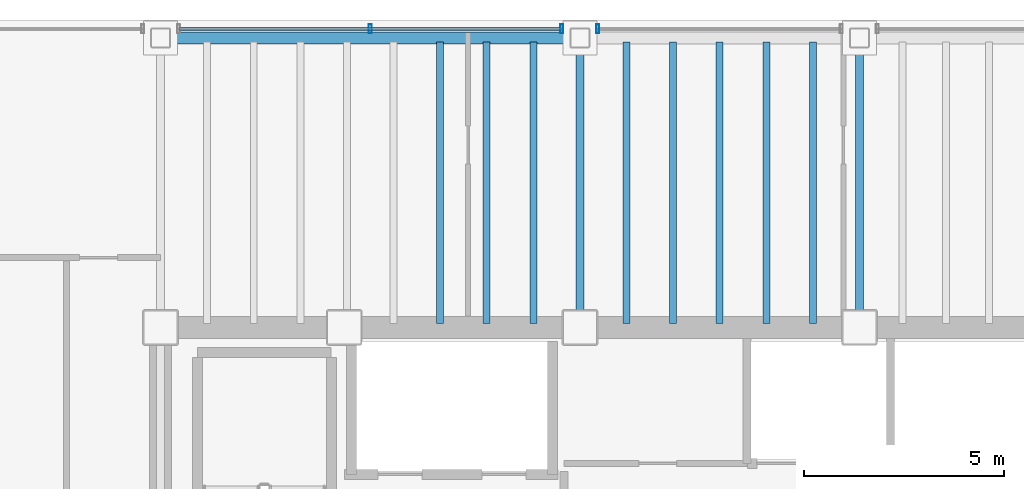
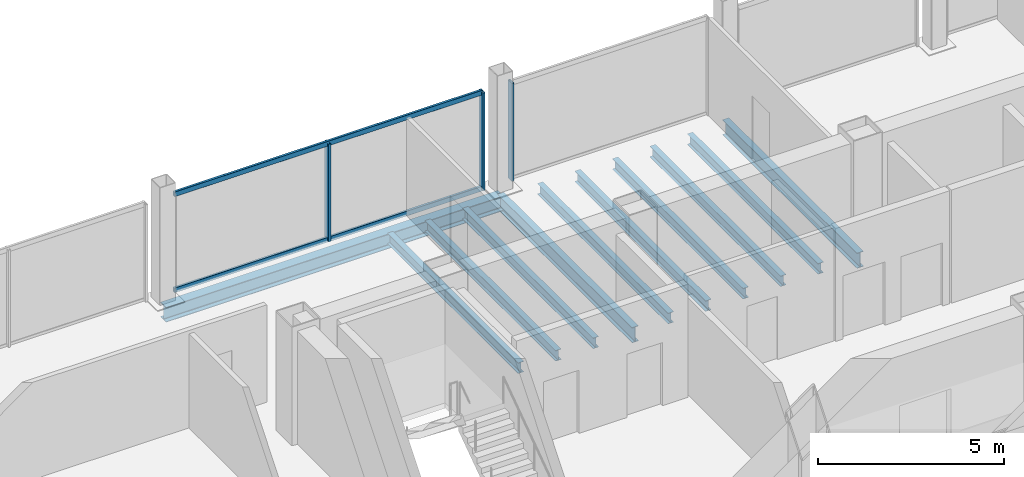
# One storey, part 9 of 18: 11 beams, 5 members, 2 elements without a shape of their own.
"""IFC4 building model written with IfcOpenShell, lengths in metres."""

from ifc_helpers import new_model, si_unit, direction, frame, origin, origin_2d, place, context, subcontext, project, spatial, hollow_rectangle, i_section, extrude, material, material_profile, profile_set, type_object, element, aggregate, save


model = new_model("IFC4")

# Units and contexts
model_context = context("Model", 3, precision=1e-05, world=origin(), true_north=direction((0.0, 1.0)))
body_context = subcontext(model_context, "Body", "Model", "MODEL_VIEW")
ifc_project = project(units=[si_unit("LENGTHUNIT", "METRE"), si_unit("AREAUNIT", "SQUARE_METRE"), si_unit("VOLUMEUNIT", "CUBIC_METRE"), si_unit("PLANEANGLEUNIT", "RADIAN"), si_unit("MASSUNIT", "GRAM", prefix="KILO")], contexts=[model_context])

# Site, building, storey
site_placement = place(None, origin())
site = spatial("IfcSite", under=ifc_project, at=site_placement, CompositionType="ELEMENT")
building_placement = place(site_placement, origin())
building = spatial("IfcBuilding", under=site, at=building_placement, Name="Noeulbin Bourse Tower", CompositionType="ELEMENT")
storey_placement = place(building_placement, frame((0.0, 0.0, 161.699951171875)))
storey = spatial("IfcBuildingStorey", under=building, at=storey_placement, Name="L40", CompositionType="ELEMENT", Elevation=161.699951171875)

# Beams
ifc_material_1 = material(Name="Steel S355", Category="steel")
ifc_material_profile_1 = material_profile(ifc_material_1, i_section(OverallWidth=0.199951171875, OverallDepth=0.5, WebThickness=0.010009765625, FlangeThickness=0.01611328125, FilletRadius=0.02001953125, at=origin_2d()), Name="H-500x200x10x16", Category="LoadBearing")
ifc_profile_set_1 = profile_set([ifc_material_profile_1], Name="Steel S355")
beam_type_1 = type_object("IfcBeamType", Name="BM-GRD-500", PredefinedType="USERDEFINED", material=ifc_profile_set_1)
for number, where, z_axis, x_axis, name in (
    (1, (24.0, 38.300048828125, -0.429931640625), (0.0, 1.0, 0.0), (-1.0, 0.0, 0.0), "Tower Primary Girder NS L40-2.4"),
    (2, (31.0, 38.300048828125, -0.429931640625), (0.0, 1.0, 0.0), (-1.0, 0.0, 0.0), "Tower Primary Girder NS L40-3.4"),
):
    element("IfcBeam", number, at=place(storey_placement, frame(where, z_axis=z_axis, x_axis=x_axis)), inside=storey, type_object=beam_type_1, Name=name, ObjectType="GIRDER", PredefinedType="USERDEFINED", context=body_context, shape_type="SweptSolid", body=[
        extrude(i_section(OverallWidth=0.199951171875, OverallDepth=0.5, WebThickness=0.010009765625, FlangeThickness=0.01611328125, FilletRadius=0.02001953125, at=origin_2d()), origin(), (0.0, 0.0, 1.0), 7.25),
    ])
ifc_material_profile_2 = material_profile(ifc_material_1, i_section(OverallWidth=0.175048828125, OverallDepth=0.35009765625, WebThickness=0.007080078125, FlangeThickness=0.010986328125, FilletRadius=0.013916015625, at=origin_2d()), Name="H-350x175x7x11", Category="LoadBearing")
ifc_profile_set_2 = profile_set([ifc_material_profile_2], Name="Steel S355")
beam_type_2 = type_object("IfcBeamType", Name="BM-JST-350", PredefinedType="JOIST", material=ifc_profile_set_2)
for number, where, z_axis, x_axis, name in (
    (3, (20.5, 38.39990234375, -0.35498046875), (0.0, 1.0, 0.0), (-1.0, 0.0, 0.0), "Tower Composite Joist L40-18"),
    (4, (21.666748046875, 38.39990234375, -0.35498046875), (0.0, 1.0, 0.0), (-1.0, 0.0, 0.0), "Tower Composite Joist L40-21"),
    (5, (22.833251953125, 38.39990234375, -0.35498046875), (0.0, 1.0, 0.0), (-1.0, 0.0, 0.0), "Tower Composite Joist L40-24"),
    (6, (25.166748046875, 38.39990234375, -0.35498046875), (0.0, 1.0, 0.0), (-1.0, 0.0, 0.0), "Tower Composite Joist L40-27"),
    (7, (26.333251953125, 38.39990234375, -0.35498046875), (0.0, 1.0, 0.0), (-1.0, 0.0, 0.0), "Tower Composite Joist L40-30"),
    (8, (27.5, 38.39990234375, -0.35498046875), (0.0, 1.0, 0.0), (-1.0, 0.0, 0.0), "Tower Composite Joist L40-33"),
    (9, (28.666748046875, 38.39990234375, -0.35498046875), (0.0, 1.0, 0.0), (-1.0, 0.0, 0.0), "Tower Composite Joist L40-36"),
    (10, (29.833251953125, 38.39990234375, -0.35498046875), (0.0, 1.0, 0.0), (-1.0, 0.0, 0.0), "Tower Composite Joist L40-39"),
):
    element("IfcBeam", number, at=place(storey_placement, frame(where, z_axis=z_axis, x_axis=x_axis)), inside=storey, type_object=beam_type_2, Name=name, PredefinedType="JOIST", context=body_context, shape_type="SweptSolid", body=[
        extrude(i_section(OverallWidth=0.175048828125, OverallDepth=0.35009765625, WebThickness=0.007080078125, FlangeThickness=0.010986328125, FilletRadius=0.013916015625, at=origin_2d()), origin(), (0.0, 0.0, 1.0), 7.050048828125),
    ])
ifc_material_profile_3 = material_profile(ifc_material_1, i_section(OverallWidth=0.300048828125, OverallDepth=0.488037109375, WebThickness=0.010986328125, FlangeThickness=0.01806640625, FilletRadius=0.02197265625, at=origin_2d()), Name="H-488x300x11x18", Category="LoadBearing")
ifc_profile_set_3 = profile_set([ifc_material_profile_3], Name="Steel S355")
beam_type_3 = type_object("IfcBeamType", Name="BM-SPN-488", PredefinedType="SPANDREL", material=ifc_profile_set_3)
beam_placement = place(storey_placement, frame((13.5, 45.550048828125, -0.424072265625), z_axis=(1.0, 0.0, 0.0), x_axis=(0.0, 1.0, 0.0)))
element("IfcBeam", 11, at=beam_placement, inside=storey, type_object=beam_type_3, Name="North Spandrel L40-1", PredefinedType="SPANDREL", context=body_context, shape_type="SweptSolid", body=[
    extrude(i_section(OverallWidth=0.300048828125, OverallDepth=0.488037109375, WebThickness=0.010986328125, FlangeThickness=0.01806640625, FilletRadius=0.02197265625, at=origin_2d()), origin(), (0.0, 0.0, 1.0), 10.5),
])

# Curtain wall, members
ifc_material_2 = material(Name="Dark Tinted Triple Glazing", Category="glass")
curtain_wall_type = type_object("IfcCurtainWallType", Name="CW-SYS-3", PredefinedType="NOTDEFINED", material=ifc_material_2)
curtain_wall_1_placement = place(storey_placement, origin())
curtain_wall_1 = element("IfcCurtainWall", 12, at=curtain_wall_1_placement, inside=storey, type_object=curtain_wall_type, Name="Unitised Curtain Wall CW-L40-N-S2", PredefinedType="NOTDEFINED")
ifc_material_3 = material(Name="Anodised Aluminium 6063-T6", Category="aluminium")
ifc_material_profile_4 = material_profile(ifc_material_3, hollow_rectangle(XDim=0.074951171875, YDim=0.219970703125, WallThickness=0.0048828125, InnerFilletRadius=0.00244140625, OuterFilletRadius=0.0048828125, at=origin_2d()), Name="ALU-MULL-75x220x5", Category="LoadBearing")
ifc_profile_set_4 = profile_set([ifc_material_profile_4], Name="Anodised Aluminium 6063-T6")
member_type_1 = type_object("IfcMemberType", Name="CW-SYS-3-MUL", PredefinedType="MULLION", material=ifc_profile_set_4)
member_1_placement = place(storey_placement, frame((18.75, 45.780029296875, -0.02001953125), z_axis=(0.0, 0.0, 1.0), x_axis=(1.0, 0.0, 0.0)))
member_1 = element("IfcMember", 13, at=member_1_placement, type_object=member_type_1, Name="Curtain Wall Mullion CW-L40-N-S2-M01", PredefinedType="MULLION", context=body_context, shape_type="SweptSolid", body=[
    extrude(hollow_rectangle(XDim=0.074951171875, YDim=0.219970703125, WallThickness=0.0048828125, InnerFilletRadius=0.00244140625, OuterFilletRadius=0.0048828125, at=origin_2d()), origin(), (0.0, 0.0, 1.0), 3.219970703125),
])
member_2_placement = place(storey_placement, frame((23.550048828125, 45.780029296875, -0.02001953125), z_axis=(0.0, 0.0, 1.0), x_axis=(1.0, 0.0, 0.0)))
member_2 = element("IfcMember", 14, at=member_2_placement, type_object=member_type_1, Name="Curtain Wall Mullion CW-L40-N-S2-M02", PredefinedType="MULLION", context=body_context, shape_type="SweptSolid", body=[
    extrude(hollow_rectangle(XDim=0.074951171875, YDim=0.219970703125, WallThickness=0.0048828125, InnerFilletRadius=0.00244140625, OuterFilletRadius=0.0048828125, at=origin_2d()), origin(), (0.0, 0.0, 1.0), 3.219970703125),
])

# Curtain wall, member
curtain_wall_2_placement = place(storey_placement, origin())
curtain_wall_2 = element("IfcCurtainWall", 15, at=curtain_wall_2_placement, inside=storey, type_object=curtain_wall_type, Name="Unitised Curtain Wall CW-L40-N-S3", PredefinedType="NOTDEFINED")
member_3_placement = place(storey_placement, frame((24.449951171875, 45.780029296875, -0.02001953125), z_axis=(0.0, 0.0, 1.0), x_axis=(1.0, 0.0, 0.0)))
member_3 = element("IfcMember", 16, at=member_3_placement, type_object=member_type_1, Name="Curtain Wall Mullion CW-L40-N-S3-M00", PredefinedType="MULLION", context=body_context, shape_type="SweptSolid", body=[
    extrude(hollow_rectangle(XDim=0.074951171875, YDim=0.219970703125, WallThickness=0.0048828125, InnerFilletRadius=0.00244140625, OuterFilletRadius=0.0048828125, at=origin_2d()), origin(), (0.0, 0.0, 1.0), 3.219970703125),
])
aggregate(curtain_wall_2, [member_3])

# Member
ifc_material_profile_5 = material_profile(ifc_material_3, hollow_rectangle(XDim=0.074951171875, YDim=0.159912109375, WallThickness=0.0048828125, InnerFilletRadius=0.00244140625, OuterFilletRadius=0.0048828125, at=origin_2d()), Name="ALU-TRAN-75x160x5", Category="LoadBearing")
ifc_profile_set_5 = profile_set([ifc_material_profile_5], Name="Anodised Aluminium 6063-T6")
member_type_2 = type_object("IfcMemberType", Name="CW-SYS-3-TRN", PredefinedType="USERDEFINED", material=ifc_profile_set_5)
member_4_placement = place(storey_placement, frame((13.9599609375, 45.780029296875, 0.010009765625), z_axis=(1.0, 0.0, 0.0), x_axis=(0.0, 1.0, 0.0)))
member_4 = element("IfcMember", 17, at=member_4_placement, type_object=member_type_2, Name="Curtain Wall Transom CW-L40-N-S2-T00", ObjectType="TRANSOM", PredefinedType="USERDEFINED", context=body_context, shape_type="SweptSolid", body=[
    extrude(hollow_rectangle(XDim=0.074951171875, YDim=0.159912109375, WallThickness=0.0048828125, InnerFilletRadius=0.00244140625, OuterFilletRadius=0.0048828125, at=origin_2d()), origin(), (0.0, 0.0, 1.0), 9.580078125),
])

member_5_placement = place(storey_placement, frame((13.9599609375, 45.780029296875, 3.170166015625), z_axis=(1.0, 0.0, 0.0), x_axis=(0.0, 1.0, 0.0)))
member_5 = element("IfcMember", 18, at=member_5_placement, type_object=member_type_2, Name="Curtain Wall Transom CW-L40-N-S2-T01", ObjectType="TRANSOM", PredefinedType="USERDEFINED", context=body_context, shape_type="SweptSolid", body=[
    extrude(hollow_rectangle(XDim=0.074951171875, YDim=0.159912109375, WallThickness=0.0048828125, InnerFilletRadius=0.00244140625, OuterFilletRadius=0.0048828125, at=origin_2d()), origin(), (0.0, 0.0, 1.0), 9.580078125),
])

aggregate(curtain_wall_1, [member_1, member_2, member_4, member_5])

save(model, "model.ifc")
